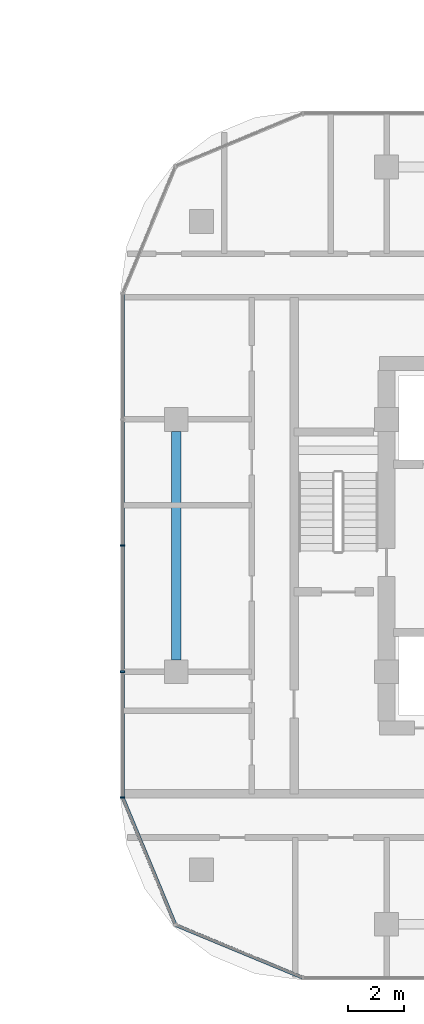
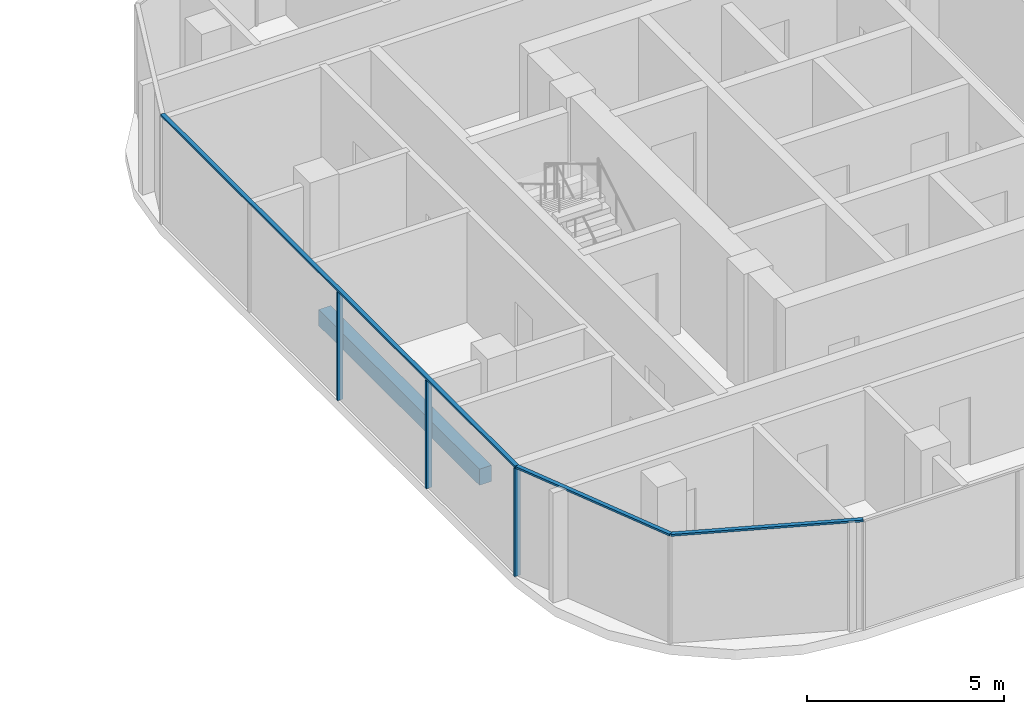
# One storey, part 9 of 32: 6 members, 1 beam, 2 elements without a shape of their own.
"""IFC4 building model written with IfcOpenShell, lengths in metres."""

import ifcopenshell
import ifcopenshell.guid

model = None  # the IFC model being written
_history = None  # IfcOwnerHistory: only IFC2X3 demands one
_inside = {}  # id of a spatial element -> (the spatial element, [elements in it])
_under = {}  # id of a project, library or spatial element -> (it, [spatial elements below it])
_declared = {}  # id of a project -> (the project, [libraries it declares])
_typed = {}  # id of a type object -> (the type object, [elements of that type])
_made_of = {}  # id of a material, layer set ... -> (it, [elements and type objects made of it])


def new_model(schema):
    """Start an empty IFC model of exactly this schema.

    Asked for "IFC4X3", IfcOpenShell would pick the latest addendum, in which some entities
    have other attributes; the version numbers below select the first issue.
    IFC2X3 requires an IfcOwnerHistory on every rooted entity: one is made here for all.
    """
    global model, _history
    if schema == "IFC4X3":
        model = ifcopenshell.file(schema_version=(4, 3, 0, 0))
    else:
        model = ifcopenshell.file(schema=schema)
    _inside.clear()
    _under.clear()
    _declared.clear()
    _typed.clear()
    _made_of.clear()
    _history = None
    if model.schema == "IFC2X3":
        org = make("IfcOrganization", Name="unknown")
        user = make(
            "IfcPersonAndOrganization",
            ThePerson=make("IfcPerson", FamilyName="unknown"),
            TheOrganization=org,
        )
        app = make(
            "IfcApplication",
            ApplicationDeveloper=org,
            Version="unknown",
            ApplicationFullName="unknown",
            ApplicationIdentifier="unknown",
        )
        _history = make(
            "IfcOwnerHistory",
            OwningUser=user,
            OwningApplication=app,
            ChangeAction="ADDED",
            CreationDate=0,
        )
    return model


def make(cls, **values):
    """One entity of the class cls with the attributes given. An attribute that is None is left unset."""
    return model.create_entity(
        cls, **{name: value for name, value in values.items() if value is not None}
    )


def rooted(cls, **values):
    """An entity with a GlobalId (a new one), such as an element, a storey or a relation."""
    return make(cls, GlobalId=ifcopenshell.guid.new(), OwnerHistory=_history, **values)


def si_unit(unit_type, name, prefix=None):
    """IfcSIUnit, for example si_unit("LENGTHUNIT", "METRE", prefix="MILLI")."""
    return make("IfcSIUnit", UnitType=unit_type, Prefix=prefix, Name=name)


def assignment(units):
    """IfcUnitAssignment: the units of a project."""
    return None if units is None else make("IfcUnitAssignment", Units=units)


def point(xyz):
    """IfcCartesianPoint."""
    return None if xyz is None else make("IfcCartesianPoint", Coordinates=xyz)


def direction(xyz):
    """IfcDirection."""
    return None if xyz is None else make("IfcDirection", DirectionRatios=xyz)


def frame(location, z_axis=None, x_axis=None):
    """IfcAxis2Placement3D, a coordinate frame: its origin and axes. An axis left out is left unset."""
    return make(
        "IfcAxis2Placement3D",
        Location=point(location),
        Axis=direction(z_axis),
        RefDirection=direction(x_axis),
    )


def frame_2d(location, x_axis=None):
    """IfcAxis2Placement2D, a coordinate frame in the plane: its origin and x axis."""
    return make(
        "IfcAxis2Placement2D", Location=point(location), RefDirection=direction(x_axis)
    )


def origin():
    """The frame at (0, 0, 0) with its axes left unset."""
    return frame((0.0, 0.0, 0.0))


def origin_2d():
    """The frame at (0, 0) in the plane with its x axis left unset."""
    return frame_2d((0.0, 0.0))


def place(relative_to, where):
    """IfcLocalPlacement: puts the frame where relative to a parent placement (None: the world)."""
    return make(
        "IfcLocalPlacement", PlacementRelTo=relative_to, RelativePlacement=where
    )


def context(
    kind, dimensions, precision=None, world=None, true_north=None, identifier=None
):
    """IfcGeometricRepresentationContext, for example the 3D "Model" context."""
    return make(
        "IfcGeometricRepresentationContext",
        ContextIdentifier=identifier,
        ContextType=kind,
        CoordinateSpaceDimension=dimensions,
        Precision=precision,
        WorldCoordinateSystem=world,
        TrueNorth=true_north,
    )


def subcontext(parent, identifier, kind, view, scale=None):
    """IfcGeometricRepresentationSubContext, for example "Body" below "Model"."""
    return make(
        "IfcGeometricRepresentationSubContext",
        ContextIdentifier=identifier,
        ContextType=kind,
        ParentContext=parent,
        TargetScale=scale,
        TargetView=view,
    )


def project(units=None, contexts=None):
    """IfcProject with its units and contexts."""
    return rooted(
        "IfcProject",
        Name="project",
        RepresentationContexts=contexts,
        UnitsInContext=assignment(units),
    )


def spatial(cls, under=None, at=None, **own):
    """A site, building, storey or space (cls), placed at a placement, below another one or the project."""
    s = rooted(cls, ObjectPlacement=at, **own)
    if under is not None:
        _under.setdefault(under.id(), (under, []))[1].append(s)
    return s


def profile(cls, at=None, kind="AREA", **sizes):
    """A parametric profile (cls). Its sizes go by their IFC names, for example OverallWidth=200.0."""
    return make(cls, ProfileType=kind, Position=at, **sizes)


def rectangle(**sizes):
    """IfcRectangleProfileDef."""
    return profile("IfcRectangleProfileDef", **sizes)


def extrude(swept, where, along, depth):
    """IfcExtrudedAreaSolid: the profile swept, set in the frame where, extruded along a direction by depth."""
    return make(
        "IfcExtrudedAreaSolid",
        SweptArea=swept,
        Position=where,
        ExtrudedDirection=direction(along),
        Depth=depth,
    )


def shape(context_of_items, identifier, shape_type, items):
    """IfcShapeRepresentation: the items that make up one representation, for example the "Body"."""
    return make(
        "IfcShapeRepresentation",
        ContextOfItems=context_of_items,
        RepresentationIdentifier=identifier,
        RepresentationType=shape_type,
        Items=items,
    )


def material(Name=None, Category=None):
    """IfcMaterial."""
    return make("IfcMaterial", Name=Name, Category=Category)


def material_profile(
    of_material, cross_section, Name=None, Category=None, Priority=None
):
    """IfcMaterialProfile: a cross section and its material."""
    return make(
        "IfcMaterialProfile",
        Name=Name,
        Material=of_material,
        Profile=cross_section,
        Priority=Priority,
        Category=Category,
    )


def profile_set(profiles, Name=None, composite=None):
    """IfcMaterialProfileSet."""
    return make(
        "IfcMaterialProfileSet",
        Name=Name,
        MaterialProfiles=profiles,
        CompositeProfile=composite,
    )


def made_of(thing, what):
    """Note that an element or type object is made of a material, layer set ...; save() writes the relation."""
    if what is not None:
        _made_of.setdefault(what.id(), (what, []))[1].append(thing)
    return thing


def type_object(cls, material=None, **own):
    """A type object (cls), such as IfcWallType, which elements share."""
    return made_of(rooted(cls, **own), material)


def element(
    cls,
    number,
    at=None,
    inside=None,
    cuts=None,
    type_object=None,
    material=None,
    context=None,
    identifier="Body",
    shape_type=None,
    held_by="IfcProductDefinitionShape",
    body=None,
    shapes=None,
    **own,
):
    """One element of the class cls, such as IfcWall. Its Tag is "e" and its number.

    at: its placement. inside: the storey or other place that contains it. cuts: it is an
    opening in that element (IfcRelVoidsElement). A single representation is given by context,
    identifier, shape_type and body (its items); several are given by shapes. held_by: the class
    of the entity that holds the representations. save() writes the other relations.
    """
    e = rooted(cls, Tag="e%d" % number, ObjectPlacement=at, **own)
    if body is not None:
        shapes = [shape(context, identifier, shape_type, body)]
    if shapes is not None:
        e.Representation = make(held_by, Representations=shapes)
    if inside is not None:
        _inside.setdefault(inside.id(), (inside, []))[1].append(e)
    if cuts is not None:
        rooted(
            "IfcRelVoidsElement", RelatingBuildingElement=cuts, RelatedOpeningElement=e
        )
    if type_object is not None:
        _typed.setdefault(type_object.id(), (type_object, []))[1].append(e)
    return made_of(e, material)


def aggregate(whole, parts):
    """IfcRelAggregates: a whole, such as a stair, and the parts it consists of."""
    return rooted("IfcRelAggregates", RelatingObject=whole, RelatedObjects=parts)


def save(model, path):
    """Write the relations noted so far, then the file.

    IfcRelAggregates (storeys below a building ...), IfcRelContainedInSpatialStructure (elements
    in a storey), IfcRelDefinesByType, IfcRelAssociatesMaterial and IfcRelDeclares: one each for
    every whole, place, type object, material and project.
    """
    for whole, parts in _under.values():
        aggregate(whole, parts)
    for where, things in _inside.values():
        rooted(
            "IfcRelContainedInSpatialStructure",
            RelatedElements=things,
            RelatingStructure=where,
        )
    for kind, things in _typed.values():
        rooted("IfcRelDefinesByType", RelatedObjects=things, RelatingType=kind)
    for what, things in _made_of.values():
        rooted("IfcRelAssociatesMaterial", RelatedObjects=things, RelatingMaterial=what)
    for by, libraries in _declared.values():
        rooted("IfcRelDeclares", RelatingContext=by, RelatedDefinitions=libraries)
    model.write(path)


model = new_model("IFC4")

# Units and contexts
model_context = context("Model", 3, precision=1e-05, world=origin(), true_north=direction((0.0, 1.0)))
body_context = subcontext(model_context, "Body", "Model", "MODEL_VIEW")
ifc_project = project(units=[si_unit("LENGTHUNIT", "METRE"), si_unit("AREAUNIT", "SQUARE_METRE"), si_unit("VOLUMEUNIT", "CUBIC_METRE"), si_unit("PLANEANGLEUNIT", "RADIAN"), si_unit("MASSUNIT", "GRAM", prefix="KILO")], contexts=[model_context])

# Site, building, storey
site_placement = place(None, origin())
site = spatial("IfcSite", under=ifc_project, at=site_placement, CompositionType="ELEMENT")
building_placement = place(site_placement, origin())
building = spatial("IfcBuilding", under=site, at=building_placement, Name="Ogive Portal Towers", CompositionType="ELEMENT")
storey_placement = place(building_placement, frame((0.0, 0.0, 59.39990234375)))
storey = spatial("IfcBuildingStorey", under=building, at=storey_placement, Name="L13", CompositionType="ELEMENT", Elevation=59.39990234375)

# Curtain wall, members
ifc_material_1 = material(Name="Glass, clear low-iron insulated glazing", Category="glass")
curtain_wall_type = type_object("IfcCurtainWallType", Name="CW RESIDENCES RIBBON", PredefinedType="NOTDEFINED", material=ifc_material_1)
curtain_wall_1_placement = place(storey_placement, origin())
curtain_wall_1 = element("IfcCurtainWall", 1, at=curtain_wall_1_placement, inside=storey, type_object=curtain_wall_type, Name="B:L13:f11:cw0", PredefinedType="NOTDEFINED")
ifc_material_2 = material(Name="Aluminium 6063 anodised", Category="aluminium")
ifc_material_profile_1 = material_profile(ifc_material_2, rectangle(XDim=0.159912109375, YDim=0.06005859375, at=origin_2d()), Name="AL 60x160")
ifc_profile_set_1 = profile_set([ifc_material_profile_1], Name="Aluminium 6063 anodised")
member_type_1 = type_object("IfcMemberType", Name="CW MULLION 60x160", PredefinedType="MULLION", material=ifc_profile_set_1)
member_1_placement = place(storey_placement, frame((119.590087890625, 31.0, 0.0), z_axis=(0.0, 0.0, 1.0), x_axis=(1.0, 0.0, 0.0)))
member_1 = element("IfcMember", 2, at=member_1_placement, type_object=member_type_1, Name="mullion", PredefinedType="MULLION", context=body_context, shape_type="SweptSolid", body=[
    extrude(rectangle(XDim=0.159912109375, YDim=0.06005859375, at=origin_2d()), origin(), (0.0, 0.0, 1.0), 3.340087890625),
])
member_2_placement = place(storey_placement, frame((119.590087890625, 26.5, 0.0), z_axis=(0.0, 0.0, 1.0), x_axis=(1.0, 0.0, 0.0)))
member_2 = element("IfcMember", 3, at=member_2_placement, type_object=member_type_1, Name="mullion", PredefinedType="MULLION", context=body_context, shape_type="SweptSolid", body=[
    extrude(rectangle(XDim=0.159912109375, YDim=0.06005859375, at=origin_2d()), origin(), (0.0, 0.0, 1.0), 3.340087890625),
])
member_3_placement = place(storey_placement, frame((119.590087890625, 22.015869140625, 0.0), z_axis=(0.0, 0.0, 1.0), x_axis=(1.0, 0.0, 0.0)))
member_3 = element("IfcMember", 4, at=member_3_placement, type_object=member_type_1, Name="mullion", PredefinedType="MULLION", context=body_context, shape_type="SweptSolid", body=[
    extrude(rectangle(XDim=0.159912109375, YDim=0.06005859375, at=origin_2d()), origin(), (0.0, 0.0, 1.0), 3.340087890625),
])
ifc_material_profile_2 = material_profile(ifc_material_2, rectangle(XDim=0.1201171875, YDim=0.06005859375, at=origin_2d()), Name="AL 120x60")
ifc_profile_set_2 = profile_set([ifc_material_profile_2], Name="Aluminium 6063 anodised")
member_type_2 = type_object("IfcMemberType", Name="CW TRANSOM 60x120", PredefinedType="USERDEFINED", material=ifc_profile_set_2)
member_4_placement = place(storey_placement, frame((119.590087890625, 39.984130859375, 3.3701171875), z_axis=(0.0, -1.0, 0.0), x_axis=(1.0, 0.0, 0.0)))
member_4 = element("IfcMember", 5, at=member_4_placement, type_object=member_type_2, Name="transom", ObjectType="TRANSOM", PredefinedType="USERDEFINED", context=body_context, shape_type="SweptSolid", body=[
    extrude(rectangle(XDim=0.1201171875, YDim=0.06005859375, at=origin_2d()), origin(), (0.0, 0.0, 1.0), 17.96826171875),
])
aggregate(curtain_wall_1, [member_4, member_1, member_2, member_3])

curtain_wall_2_placement = place(storey_placement, origin())
curtain_wall_2 = element("IfcCurtainWall", 6, at=curtain_wall_2_placement, inside=storey, type_object=curtain_wall_type, Name="B:L13:f00:cwa", PredefinedType="NOTDEFINED")
member_5_placement = place(storey_placement, frame((119.590087890625, 22.015869140625, 3.3701171875), z_axis=(0.382686457306, -0.923878279534, 0.0), x_axis=(0.923878279534, 0.382686457306, 0.0)))
member_5 = element("IfcMember", 7, at=member_5_placement, type_object=member_type_2, Name="transom", ObjectType="TRANSOM", PredefinedType="USERDEFINED", context=body_context, shape_type="SweptSolid", body=[
    extrude(rectangle(XDim=0.1201171875, YDim=0.06005859375, at=origin_2d()), origin(), (0.0, 0.0, 1.0), 4.91796875),
])
member_6_placement = place(storey_placement, frame((121.47216796875, 17.47216796875, 3.3701171875), z_axis=(0.923878279534, -0.382686457306, 0.0), x_axis=(0.382686457306, 0.923878279534, 0.0)))
member_6 = element("IfcMember", 8, at=member_6_placement, type_object=member_type_2, Name="transom", ObjectType="TRANSOM", PredefinedType="USERDEFINED", context=body_context, shape_type="SweptSolid", body=[
    extrude(rectangle(XDim=0.1201171875, YDim=0.06005859375, at=origin_2d()), origin(), (0.0, 0.0, 1.0), 4.91796875),
])
aggregate(curtain_wall_2, [member_5, member_6])

# Beam
ifc_material_3 = material(Name="Concrete C50/60", Category="concrete")
ifc_material_profile_3 = material_profile(ifc_material_3, rectangle(XDim=0.35009765625, YDim=0.5, at=origin_2d()), Name="RC 350x500")
ifc_profile_set_3 = profile_set([ifc_material_profile_3], Name="Concrete C50/60")
beam_type = type_object("IfcBeamType", Name="SPANDREL BEAM RC 350x500", PredefinedType="BEAM", material=ifc_profile_set_3)
beam_placement = place(storey_placement, frame((121.5, 35.074951171875, -0.5498046875), z_axis=(0.0, -1.0, 0.0), x_axis=(1.0, 0.0, 0.0)))
element("IfcBeam", 9, at=beam_placement, inside=storey, type_object=beam_type, Name="Spandrel beam L13", PredefinedType="BEAM", context=body_context, shape_type="SweptSolid", body=[
    extrude(rectangle(XDim=0.35009765625, YDim=0.5, at=origin_2d()), origin(), (0.0, 0.0, 1.0), 8.14990234375),
])

save(model, "model.ifc")
